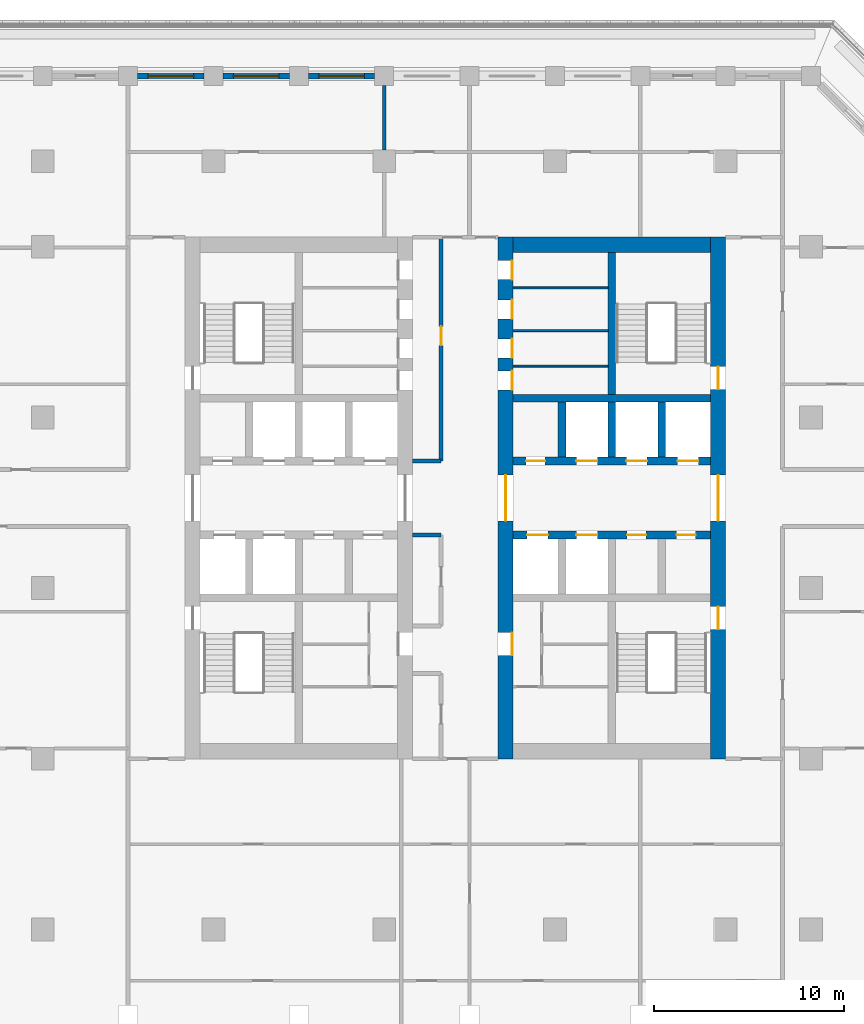
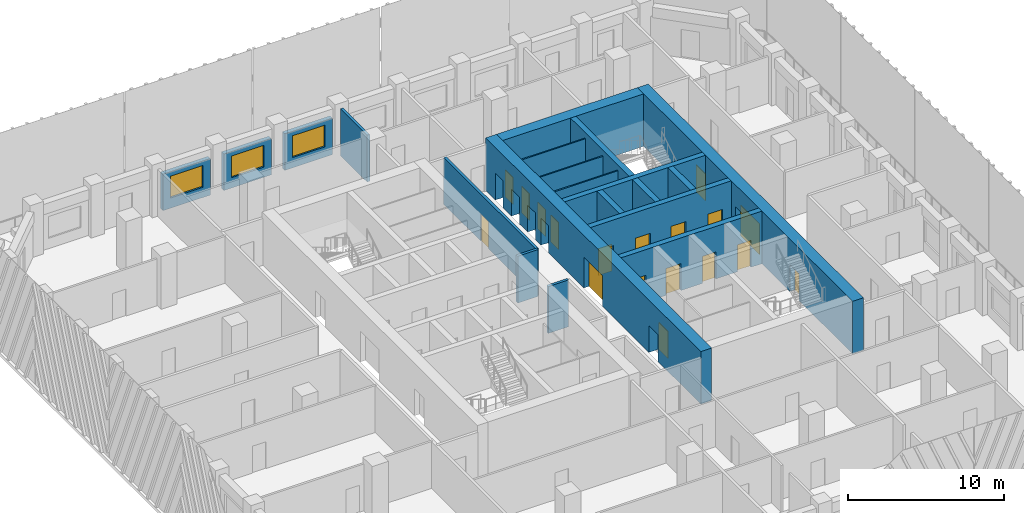
# One storey, part 7 of 17: 20 walls, 18 doors, 3 windows, 21 openings.
"""IFC4 building model written with IfcOpenShell, lengths in metres."""

from ifc_helpers import new_model, si_unit, direction, frame, frame_2d, origin, place, context, subcontext, project, spatial, rectangle, extrude, material, layer, layer_set, type_object, element, fill, save


model = new_model("IFC4")

# Units and contexts
model_context = context("Model", 3, precision=1e-05, world=origin(), true_north=direction((0.0, 1.0)))
body_context = subcontext(model_context, "Body", "Model", "MODEL_VIEW")
ifc_project = project(units=[si_unit("LENGTHUNIT", "METRE"), si_unit("AREAUNIT", "SQUARE_METRE"), si_unit("VOLUMEUNIT", "CUBIC_METRE"), si_unit("PLANEANGLEUNIT", "RADIAN"), si_unit("MASSUNIT", "GRAM", prefix="KILO")], contexts=[model_context])

# Site, building, storey
site_placement = place(None, origin())
site = spatial("IfcSite", under=ifc_project, at=site_placement, CompositionType="ELEMENT")
building_placement = place(site_placement, origin())
building = spatial("IfcBuilding", under=site, at=building_placement, Name="Corbel Stack Research Tower", CompositionType="ELEMENT")
storey_placement = place(building_placement, frame((0.0, 0.0, 156.800048828125)))
storey = spatial("IfcBuildingStorey", under=building, at=storey_placement, Name="L35", CompositionType="ELEMENT", Elevation=156.800048828125)

# Wall, openings, doors
ifc_material_1 = material(Name="Concrete C60/75", Category="concrete")
ifc_layer_1 = layer(ifc_material_1, 0.39990234375)
ifc_layer_set_1 = layer_set([ifc_layer_1], Name="Concrete C60/75")
wall_type_1 = type_object("IfcWallType", Name="CW-400-60", PredefinedType="SHEAR", material=ifc_layer_set_1)
wall_1_placement = place(storey_placement, frame((6.800048828125, 2.800048828125, 0.0), z_axis=(0.0, 0.0, 1.0), x_axis=(1.0, 0.0, 0.0)))
wall_1 = element("IfcWall", 1, at=wall_1_placement, inside=storey, type_object=wall_type_1, Name="East core wall, lobby south L35", PredefinedType="SHEAR", context=body_context, shape_type="SweptSolid", body=[
    extrude(rectangle(XDim=10.39990234375, YDim=0.39990234375, at=frame_2d((5.199951171875, 0.0))), origin(), (0.0, 0.0, 1.0), 4.099853515625),
])
opening_1_placement = place(wall_1_placement, frame((0.737548828125, 0.0, 0.0)))
opening_1 = element("IfcOpeningElement", 2, at=opening_1_placement, cuts=wall_1, Name="Opening LD-FS2", PredefinedType="OPENING", context=body_context, shape_type="SweptSolid", body=[
    extrude(rectangle(XDim=1.10009765625, YDim=2.10009765625, at=frame_2d((0.550048828125, 1.050048828125))), frame((0.0, 0.2099609375, 0.0), z_axis=(0.0, -1.0, 0.0), x_axis=(1.0, 0.0, 0.0)), (0.0, 0.0, 1.0), 0.419921875),
])
opening_2_placement = place(wall_1_placement, frame((3.33740234375, 0.0, 0.0)))
opening_2 = element("IfcOpeningElement", 3, at=opening_2_placement, cuts=wall_1, Name="Opening LD-GL2", PredefinedType="OPENING", context=body_context, shape_type="SweptSolid", body=[
    extrude(rectangle(XDim=1.10009765625, YDim=2.10009765625, at=frame_2d((0.550048828125, 1.050048828125))), frame((0.0, 0.2099609375, 0.0), z_axis=(0.0, -1.0, 0.0), x_axis=(1.0, 0.0, 0.0)), (0.0, 0.0, 1.0), 0.419921875),
])
opening_3_placement = place(wall_1_placement, frame((6.012451171875, 0.0, 0.0)))
opening_3 = element("IfcOpeningElement", 4, at=opening_3_placement, cuts=wall_1, Name="Opening CR-E66-S3", PredefinedType="OPENING", context=body_context, shape_type="SweptSolid", body=[
    extrude(rectangle(XDim=1.0, YDim=2.10009765625, at=frame_2d((0.5, 1.050048828125))), frame((0.0, 0.2099609375, 0.0), z_axis=(0.0, -1.0, 0.0), x_axis=(1.0, 0.0, 0.0)), (0.0, 0.0, 1.0), 0.419921875),
])
opening_4_placement = place(wall_1_placement, frame((8.612548828125, 0.0, 0.0)))
opening_4 = element("IfcOpeningElement", 5, at=opening_4_placement, cuts=wall_1, Name="Opening CR-E66-S4", PredefinedType="OPENING", context=body_context, shape_type="SweptSolid", body=[
    extrude(rectangle(XDim=1.0, YDim=2.10009765625, at=frame_2d((0.5, 1.050048828125))), frame((0.0, 0.2099609375, 0.0), z_axis=(0.0, -1.0, 0.0), x_axis=(1.0, 0.0, 0.0)), (0.0, 0.0, 1.0), 0.419921875),
])
ifc_material_2 = material(Name="Stainless steel landing door", Category="steel")
door_type_1 = type_object("IfcDoorType", Name="Lift landing door 1100 x 2100", OperationType="DOUBLE_DOOR_SLIDING", PredefinedType="DOOR", material=ifc_material_2)
door_1_placement = place(opening_1_placement, origin())
door_1 = element("IfcDoor", 6, at=door_1_placement, inside=storey, type_object=door_type_1, Name="Landing door FS2", OperationType="DOUBLE_DOOR_SLIDING", OverallHeight=2.10009765625, OverallWidth=1.10009765625, PredefinedType="DOOR", context=body_context, shape_type="SweptSolid", body=[
    extrude(rectangle(XDim=1.10009765625, YDim=2.10009765625, at=frame_2d((0.550048828125, 1.050048828125))), frame((0.0, 0.02490234375, 0.0), z_axis=(0.0, -1.0, 0.0), x_axis=(1.0, 0.0, 0.0)), (0.0, 0.0, 1.0), 0.050048828125),
])
fill(opening_1, door_1)
door_2_placement = place(opening_2_placement, origin())
door_2 = element("IfcDoor", 7, at=door_2_placement, inside=storey, type_object=door_type_1, Name="Landing door GL2", OperationType="DOUBLE_DOOR_SLIDING", OverallHeight=2.10009765625, OverallWidth=1.10009765625, PredefinedType="DOOR", context=body_context, shape_type="SweptSolid", body=[
    extrude(rectangle(XDim=1.10009765625, YDim=2.10009765625, at=frame_2d((0.550048828125, 1.050048828125))), frame((0.0, 0.02490234375, 0.0), z_axis=(0.0, -1.0, 0.0), x_axis=(1.0, 0.0, 0.0)), (0.0, 0.0, 1.0), 0.050048828125),
])
fill(opening_2, door_2)
ifc_material_3 = material(Name="Painted steel door", Category="steel")
door_type_2 = type_object("IfcDoorType", Name="Service door 1000 x 2100 FD60 left hand", OperationType="SINGLE_SWING_LEFT", PredefinedType="DOOR", material=ifc_material_3)
door_3_placement = place(opening_3_placement, origin())
door_3 = element("IfcDoor", 8, at=door_3_placement, inside=storey, type_object=door_type_2, Name="Copy and supply store door E core", OperationType="SINGLE_SWING_LEFT", OverallHeight=2.10009765625, OverallWidth=1.0, PredefinedType="DOOR", context=body_context, shape_type="SweptSolid", body=[
    extrude(rectangle(XDim=1.0, YDim=2.10009765625, at=frame_2d((0.5, 1.050048828125))), frame((0.0, 0.02490234375, 0.0), z_axis=(0.0, -1.0, 0.0), x_axis=(1.0, 0.0, 0.0)), (0.0, 0.0, 1.0), 0.050048828125),
])
fill(opening_3, door_3)
ifc_material_4 = material(Name="Painted steel door", Category="steel")
door_type_3 = type_object("IfcDoorType", Name="Service door 1000 x 2100 FD60 right hand", OperationType="SINGLE_SWING_RIGHT", PredefinedType="DOOR", material=ifc_material_4)
door_4_placement = place(opening_4_placement, origin())
door_4 = element("IfcDoor", 9, at=door_4_placement, inside=storey, type_object=door_type_3, Name="Records store door E core", OperationType="SINGLE_SWING_RIGHT", OverallHeight=2.10009765625, OverallWidth=1.0, PredefinedType="DOOR", context=body_context, shape_type="SweptSolid", body=[
    extrude(rectangle(XDim=1.0, YDim=2.10009765625, at=frame_2d((0.5, 1.050048828125))), frame((0.0, 0.02490234375, 0.0), z_axis=(0.0, -1.0, 0.0), x_axis=(1.0, 0.0, 0.0)), (0.0, 0.0, 1.0), 0.050048828125),
])
fill(opening_4, door_4)

wall_2_placement = place(storey_placement, frame((6.800048828125, 6.699951171875, 0.0), z_axis=(0.0, 0.0, 1.0), x_axis=(1.0, 0.0, 0.0)))
wall_2 = element("IfcWall", 10, at=wall_2_placement, inside=storey, type_object=wall_type_1, Name="East core wall, lobby north L35", PredefinedType="SHEAR", context=body_context, shape_type="SweptSolid", body=[
    extrude(rectangle(XDim=10.39990234375, YDim=0.39990234375, at=frame_2d((5.199951171875, 0.0))), origin(), (0.0, 0.0, 1.0), 4.099853515625),
])
opening_5_placement = place(wall_2_placement, frame((3.33740234375, 0.0, 0.0)))
opening_5 = element("IfcOpeningElement", 11, at=opening_5_placement, cuts=wall_2, Name="Opening LD-HR4", PredefinedType="OPENING", context=body_context, shape_type="SweptSolid", body=[
    extrude(rectangle(XDim=1.10009765625, YDim=2.10009765625, at=frame_2d((0.550048828125, 1.050048828125))), frame((0.0, 0.2099609375, 0.0), z_axis=(0.0, -1.0, 0.0), x_axis=(1.0, 0.0, 0.0)), (0.0, 0.0, 1.0), 0.419921875),
])
opening_6_placement = place(wall_2_placement, frame((5.96240234375, 0.0, 0.0)))
opening_6 = element("IfcOpeningElement", 12, at=opening_6_placement, cuts=wall_2, Name="Opening LD-HR5", PredefinedType="OPENING", context=body_context, shape_type="SweptSolid", body=[
    extrude(rectangle(XDim=1.10009765625, YDim=2.10009765625, at=frame_2d((0.550048828125, 1.050048828125))), frame((0.0, 0.2099609375, 0.0), z_axis=(0.0, -1.0, 0.0), x_axis=(1.0, 0.0, 0.0)), (0.0, 0.0, 1.0), 0.419921875),
])
opening_7_placement = place(wall_2_placement, frame((8.66259765625, 0.0, 0.0)))
opening_7 = element("IfcOpeningElement", 13, at=opening_7_placement, cuts=wall_2, Name="Opening LD-HR6", PredefinedType="OPENING", context=body_context, shape_type="SweptSolid", body=[
    extrude(rectangle(XDim=1.10009765625, YDim=2.10009765625, at=frame_2d((0.550048828125, 1.050048828125))), frame((0.0, 0.2099609375, 0.0), z_axis=(0.0, -1.0, 0.0), x_axis=(1.0, 0.0, 0.0)), (0.0, 0.0, 1.0), 0.419921875),
])
opening_8_placement = place(wall_2_placement, frame((0.6875, 0.0, 0.0)))
opening_8 = element("IfcOpeningElement", 14, at=opening_8_placement, cuts=wall_2, Name="Opening CR-E66-N1", PredefinedType="OPENING", context=body_context, shape_type="SweptSolid", body=[
    extrude(rectangle(XDim=1.0, YDim=2.10009765625, at=frame_2d((0.5, 1.050048828125))), frame((0.0, 0.2099609375, 0.0), z_axis=(0.0, -1.0, 0.0), x_axis=(1.0, 0.0, 0.0)), (0.0, 0.0, 1.0), 0.419921875),
])
door_5_placement = place(opening_5_placement, origin())
door_5 = element("IfcDoor", 15, at=door_5_placement, inside=storey, type_object=door_type_1, Name="Landing door HR4", OperationType="DOUBLE_DOOR_SLIDING", OverallHeight=2.10009765625, OverallWidth=1.10009765625, PredefinedType="DOOR", context=body_context, shape_type="SweptSolid", body=[
    extrude(rectangle(XDim=1.10009765625, YDim=2.10009765625, at=frame_2d((0.550048828125, 1.050048828125))), frame((0.0, 0.02490234375, 0.0), z_axis=(0.0, -1.0, 0.0), x_axis=(1.0, 0.0, 0.0)), (0.0, 0.0, 1.0), 0.050048828125),
])
fill(opening_5, door_5)
door_6_placement = place(opening_6_placement, origin())
door_6 = element("IfcDoor", 16, at=door_6_placement, inside=storey, type_object=door_type_1, Name="Landing door HR5", OperationType="DOUBLE_DOOR_SLIDING", OverallHeight=2.10009765625, OverallWidth=1.10009765625, PredefinedType="DOOR", context=body_context, shape_type="SweptSolid", body=[
    extrude(rectangle(XDim=1.10009765625, YDim=2.10009765625, at=frame_2d((0.550048828125, 1.050048828125))), frame((0.0, 0.02490234375, 0.0), z_axis=(0.0, -1.0, 0.0), x_axis=(1.0, 0.0, 0.0)), (0.0, 0.0, 1.0), 0.050048828125),
])
fill(opening_6, door_6)
door_7_placement = place(opening_7_placement, origin())
door_7 = element("IfcDoor", 17, at=door_7_placement, inside=storey, type_object=door_type_1, Name="Landing door HR6", OperationType="DOUBLE_DOOR_SLIDING", OverallHeight=2.10009765625, OverallWidth=1.10009765625, PredefinedType="DOOR", context=body_context, shape_type="SweptSolid", body=[
    extrude(rectangle(XDim=1.10009765625, YDim=2.10009765625, at=frame_2d((0.550048828125, 1.050048828125))), frame((0.0, 0.02490234375, 0.0), z_axis=(0.0, -1.0, 0.0), x_axis=(1.0, 0.0, 0.0)), (0.0, 0.0, 1.0), 0.050048828125),
])
fill(opening_7, door_7)
door_8_placement = place(opening_8_placement, origin())
door_8 = element("IfcDoor", 18, at=door_8_placement, inside=storey, type_object=door_type_2, Name="Electrical room door E core", OperationType="SINGLE_SWING_LEFT", OverallHeight=2.10009765625, OverallWidth=1.0, PredefinedType="DOOR", context=body_context, shape_type="SweptSolid", body=[
    extrude(rectangle(XDim=1.0, YDim=2.10009765625, at=frame_2d((0.5, 1.050048828125))), frame((0.0, 0.02490234375, 0.0), z_axis=(0.0, -1.0, 0.0), x_axis=(1.0, 0.0, 0.0)), (0.0, 0.0, 1.0), 0.050048828125),
])
fill(opening_8, door_8)

# Walls
wall_3_placement = place(storey_placement, frame((6.800048828125, 10.0, 0.0), z_axis=(0.0, 0.0, 1.0), x_axis=(1.0, 0.0, 0.0)))
element("IfcWall", 19, at=wall_3_placement, inside=storey, type_object=wall_type_1, Name="East core wall, north row back L35", PredefinedType="SHEAR", context=body_context, shape_type="SweptSolid", body=[
    extrude(rectangle(XDim=10.39990234375, YDim=0.39990234375, at=frame_2d((5.199951171875, 0.0))), origin(), (0.0, 0.0, 1.0), 4.099853515625),
])
for number, where, z_axis, x_axis, name in (
    (20, (9.375, 6.89990234375, 0.0), (0.0, 0.0, 1.0), (0.0, 1.0, 0.0), "East core wall, north shaft 1 L35"),
    (21, (12.0, 6.89990234375, 0.0), (0.0, 0.0, 1.0), (0.0, 1.0, 0.0), "East core wall, north shaft 2 L35"),
    (22, (14.625, 6.89990234375, 0.0), (0.0, 0.0, 1.0), (0.0, 1.0, 0.0), "East core wall, north shaft 3 L35"),
):
    element("IfcWall", number, at=place(storey_placement, frame(where, z_axis=z_axis, x_axis=x_axis)), inside=storey, type_object=wall_type_1, Name=name, PredefinedType="SHEAR", context=body_context, shape_type="SweptSolid", body=[
        extrude(rectangle(XDim=2.900146484375, YDim=0.39990234375, at=frame_2d((1.4501953125, 0.0))), origin(), (0.0, 0.0, 1.0), 4.099853515625),
    ])
wall_4_placement = place(storey_placement, frame((12.0, 10.199951171875, 0.0), z_axis=(0.0, 0.0, 1.0), x_axis=(0.0, 1.0, 0.0)))
element("IfcWall", 23, at=wall_4_placement, inside=storey, type_object=wall_type_1, Name="East core wall, north stair and riser L35", PredefinedType="SHEAR", context=body_context, shape_type="SweptSolid", body=[
    extrude(rectangle(XDim=7.5, YDim=0.39990234375, at=frame_2d((3.75, 0.0))), origin(), (0.0, 0.0, 1.0), 4.099853515625),
])

# Wall, openings, doors
ifc_material_5 = material(Name="Concrete C60/75", Category="concrete")
ifc_layer_2 = layer(ifc_material_5, 0.800048828125)
ifc_layer_set_2 = layer_set([ifc_layer_2], Name="Concrete C60/75")
wall_type_2 = type_object("IfcWallType", Name="CW-800-60", PredefinedType="SHEAR", material=ifc_layer_set_2)
wall_5_placement = place(storey_placement, frame((6.39990234375, -9.0, 0.0), z_axis=(0.0, 0.0, 1.0), x_axis=(0.0, 1.0, 0.0)))
wall_5 = element("IfcWall", 24, at=wall_5_placement, inside=storey, type_object=wall_type_2, Name="East core wall, west face L35", PredefinedType="SHEAR", context=body_context, shape_type="SweptSolid", body=[
    extrude(rectangle(XDim=27.5, YDim=0.800048828125, at=frame_2d((13.75, 0.0))), origin(), (0.0, 0.0, 1.0), 4.099853515625),
])
opening_9_placement = place(wall_5_placement, frame((12.550048828125, 0.0, 0.0)))
opening_9 = element("IfcOpeningElement", 25, at=opening_9_placement, cuts=wall_5, Name="Opening CD-E-W", PredefinedType="OPENING", context=body_context, shape_type="SweptSolid", body=[
    extrude(rectangle(XDim=2.39990234375, YDim=2.39990234375, at=frame_2d((1.199951171875, 1.199951171875))), frame((0.0, 0.409912109375, 0.0), z_axis=(0.0, -1.0, 0.0), x_axis=(1.0, 0.0, 0.0)), (0.0, 0.0, 1.0), 0.820068359375),
])
opening_10_placement = place(wall_5_placement, frame((5.449951171875, 0.0, 0.0)))
opening_10 = element("IfcOpeningElement", 26, at=opening_10_placement, cuts=wall_5, Name="Opening CR-E66-W1-1200", PredefinedType="OPENING", context=body_context, shape_type="SweptSolid", body=[
    extrude(rectangle(XDim=1.199951171875, YDim=2.10009765625, at=frame_2d((0.60009765625, 1.050048828125))), frame((0.0, 0.409912109375, 0.0), z_axis=(0.0, -1.0, 0.0), x_axis=(1.0, 0.0, 0.0)), (0.0, 0.0, 1.0), 0.820068359375),
])
opening_11_placement = place(wall_5_placement, frame((19.449951171875, 0.0, 0.0)))
opening_11 = element("IfcOpeningElement", 27, at=opening_11_placement, cuts=wall_5, Name="Opening CR-E66-R1-1000", PredefinedType="OPENING", context=body_context, shape_type="SweptSolid", body=[
    extrude(rectangle(XDim=1.0, YDim=2.10009765625, at=frame_2d((0.5, 1.050048828125))), frame((0.0, 0.409912109375, 0.0), z_axis=(0.0, -1.0, 0.0), x_axis=(1.0, 0.0, 0.0)), (0.0, 0.0, 1.0), 0.820068359375),
])
opening_12_placement = place(wall_5_placement, frame((21.137451171875, 0.0, 0.0)))
opening_12 = element("IfcOpeningElement", 28, at=opening_12_placement, cuts=wall_5, Name="Opening CR-E66-R2-1000", PredefinedType="OPENING", context=body_context, shape_type="SweptSolid", body=[
    extrude(rectangle(XDim=1.0, YDim=2.10009765625, at=frame_2d((0.5, 1.050048828125))), frame((0.0, 0.409912109375, 0.0), z_axis=(0.0, -1.0, 0.0), x_axis=(1.0, 0.0, 0.0)), (0.0, 0.0, 1.0), 0.820068359375),
])
opening_13_placement = place(wall_5_placement, frame((23.199951171875, 0.0, 0.0)))
opening_13 = element("IfcOpeningElement", 29, at=opening_13_placement, cuts=wall_5, Name="Opening CR-E66-R3-1000", PredefinedType="OPENING", context=body_context, shape_type="SweptSolid", body=[
    extrude(rectangle(XDim=1.0, YDim=2.10009765625, at=frame_2d((0.5, 1.050048828125))), frame((0.0, 0.409912109375, 0.0), z_axis=(0.0, -1.0, 0.0), x_axis=(1.0, 0.0, 0.0)), (0.0, 0.0, 1.0), 0.820068359375),
])
opening_14_placement = place(wall_5_placement, frame((25.262451171875, 0.0, 0.0)))
opening_14 = element("IfcOpeningElement", 30, at=opening_14_placement, cuts=wall_5, Name="Opening CR-E66-R4-1000", PredefinedType="OPENING", context=body_context, shape_type="SweptSolid", body=[
    extrude(rectangle(XDim=1.0, YDim=2.10009765625, at=frame_2d((0.5, 1.050048828125))), frame((0.0, 0.409912109375, 0.0), z_axis=(0.0, -1.0, 0.0), x_axis=(1.0, 0.0, 0.0)), (0.0, 0.0, 1.0), 0.820068359375),
])
ifc_material_6 = material(Name="Painted steel fire door", Category="steel")
door_type_4 = type_object("IfcDoorType", Name="Lobby door pair 2400 x 2400 FD30S", OperationType="DOUBLE_DOOR_DOUBLE_SWING", PredefinedType="DOOR", material=ifc_material_6)
door_9_placement = place(opening_9_placement, origin())
door_9 = element("IfcDoor", 31, at=door_9_placement, inside=storey, type_object=door_type_4, Name="Lift lobby door E core W", OperationType="DOUBLE_DOOR_DOUBLE_SWING", OverallHeight=2.39990234375, OverallWidth=2.39990234375, PredefinedType="DOOR", context=body_context, shape_type="SweptSolid", body=[
    extrude(rectangle(XDim=2.39990234375, YDim=2.39990234375, at=frame_2d((1.199951171875, 1.199951171875))), frame((0.0, 0.02490234375, 0.0), z_axis=(0.0, -1.0, 0.0), x_axis=(1.0, 0.0, 0.0)), (0.0, 0.0, 1.0), 0.050048828125),
])
fill(opening_9, door_9)
ifc_material_7 = material(Name="Painted steel door", Category="steel")
door_type_5 = type_object("IfcDoorType", Name="Riser door 1000 x 2100 FD60 left hand", OperationType="SINGLE_SWING_LEFT", PredefinedType="DOOR", material=ifc_material_7)
door_10_placement = place(opening_12_placement, origin())
door_10 = element("IfcDoor", 32, at=door_10_placement, inside=storey, type_object=door_type_5, Name="Telecom room door E core", OperationType="SINGLE_SWING_LEFT", OverallHeight=2.10009765625, OverallWidth=1.0, PredefinedType="DOOR", context=body_context, shape_type="SweptSolid", body=[
    extrude(rectangle(XDim=1.0, YDim=2.10009765625, at=frame_2d((0.5, 1.050048828125))), frame((0.0, -0.3251953125, 0.0), z_axis=(0.0, -1.0, 0.0), x_axis=(1.0, 0.0, 0.0)), (0.0, 0.0, 1.0), 0.050048828125),
])
fill(opening_12, door_10)
ifc_material_8 = material(Name="Painted steel door", Category="steel")
door_type_6 = type_object("IfcDoorType", Name="Riser door 1000 x 2100 FD60 right hand", OperationType="SINGLE_SWING_RIGHT", PredefinedType="DOOR", material=ifc_material_8)
door_11_placement = place(opening_11_placement, origin())
door_11 = element("IfcDoor", 33, at=door_11_placement, inside=storey, type_object=door_type_6, Name="Electrical riser door E core", OperationType="SINGLE_SWING_RIGHT", OverallHeight=2.10009765625, OverallWidth=1.0, PredefinedType="DOOR", context=body_context, shape_type="SweptSolid", body=[
    extrude(rectangle(XDim=1.0, YDim=2.10009765625, at=frame_2d((0.5, 1.050048828125))), frame((0.0, -0.3251953125, 0.0), z_axis=(0.0, -1.0, 0.0), x_axis=(1.0, 0.0, 0.0)), (0.0, 0.0, 1.0), 0.050048828125),
])
fill(opening_11, door_11)
ifc_material_9 = material(Name="Painted steel door", Category="steel")
door_type_7 = type_object("IfcDoorType", Name="Service door 1000 x 2100 FD30 left hand", OperationType="SINGLE_SWING_LEFT", PredefinedType="DOOR", material=ifc_material_9)
door_12_placement = place(opening_14_placement, origin())
door_12 = element("IfcDoor", 34, at=door_12_placement, inside=storey, type_object=door_type_7, Name="Cleaner's store door E core", OperationType="SINGLE_SWING_LEFT", OverallHeight=2.10009765625, OverallWidth=1.0, PredefinedType="DOOR", context=body_context, shape_type="SweptSolid", body=[
    extrude(rectangle(XDim=1.0, YDim=2.10009765625, at=frame_2d((0.5, 1.050048828125))), frame((0.0, -0.3251953125, 0.0), z_axis=(0.0, -1.0, 0.0), x_axis=(1.0, 0.0, 0.0)), (0.0, 0.0, 1.0), 0.050048828125),
])
fill(opening_14, door_12)
ifc_material_10 = material(Name="Painted steel door", Category="steel")
door_type_8 = type_object("IfcDoorType", Name="Service door 1000 x 2100 FD30 right hand", OperationType="SINGLE_SWING_RIGHT", PredefinedType="DOOR", material=ifc_material_10)
door_13_placement = place(opening_13_placement, origin())
door_13 = element("IfcDoor", 35, at=door_13_placement, inside=storey, type_object=door_type_8, Name="Pantry door E core", OperationType="SINGLE_SWING_RIGHT", OverallHeight=2.10009765625, OverallWidth=1.0, PredefinedType="DOOR", context=body_context, shape_type="SweptSolid", body=[
    extrude(rectangle(XDim=1.0, YDim=2.10009765625, at=frame_2d((0.5, 1.050048828125))), frame((0.0, -0.3251953125, 0.0), z_axis=(0.0, -1.0, 0.0), x_axis=(1.0, 0.0, 0.0)), (0.0, 0.0, 1.0), 0.050048828125),
])
fill(opening_13, door_13)
ifc_material_11 = material(Name="Painted timber door", Category="wood")
door_type_9 = type_object("IfcDoorType", Name="WC door 1200 x 2100 right hand", OperationType="SINGLE_SWING_RIGHT", PredefinedType="DOOR", material=ifc_material_11)
door_14_placement = place(opening_10_placement, origin())
door_14 = element("IfcDoor", 36, at=door_14_placement, inside=storey, type_object=door_type_9, Name="WC lobby door E core", OperationType="SINGLE_SWING_RIGHT", OverallHeight=2.10009765625, OverallWidth=1.199951171875, PredefinedType="DOOR", context=body_context, shape_type="SweptSolid", body=[
    extrude(rectangle(XDim=1.199951171875, YDim=2.10009765625, at=frame_2d((0.60009765625, 1.050048828125))), frame((0.0, -0.3251953125, 0.0), z_axis=(0.0, -1.0, 0.0), x_axis=(1.0, 0.0, 0.0)), (0.0, 0.0, 1.0), 0.050048828125),
])
fill(opening_10, door_14)

wall_6_placement = place(storey_placement, frame((17.60009765625, -9.0, 0.0), z_axis=(0.0, 0.0, 1.0), x_axis=(0.0, 1.0, 0.0)))
wall_6 = element("IfcWall", 37, at=wall_6_placement, inside=storey, type_object=wall_type_2, Name="East core wall, east face L35", PredefinedType="SHEAR", context=body_context, shape_type="SweptSolid", body=[
    extrude(rectangle(XDim=27.5, YDim=0.800048828125, at=frame_2d((13.75, 0.0))), origin(), (0.0, 0.0, 1.0), 4.099853515625),
])
opening_15_placement = place(wall_6_placement, frame((12.550048828125, 0.0, 0.0)))
opening_15 = element("IfcOpeningElement", 38, at=opening_15_placement, cuts=wall_6, Name="Opening CD-E-E", PredefinedType="OPENING", context=body_context, shape_type="SweptSolid", body=[
    extrude(rectangle(XDim=2.39990234375, YDim=2.39990234375, at=frame_2d((1.199951171875, 1.199951171875))), frame((0.0, 0.409912109375, 0.0), z_axis=(0.0, -1.0, 0.0), x_axis=(1.0, 0.0, 0.0)), (0.0, 0.0, 1.0), 0.820068359375),
])
opening_16_placement = place(wall_6_placement, frame((6.824951171875, 0.0, 0.0)))
opening_16 = element("IfcOpeningElement", 39, at=opening_16_placement, cuts=wall_6, Name="Opening SD-ST-E1", PredefinedType="OPENING", context=body_context, shape_type="SweptSolid", body=[
    extrude(rectangle(XDim=1.199951171875, YDim=2.10009765625, at=frame_2d((0.60009765625, 1.050048828125))), frame((0.0, 0.409912109375, 0.0), z_axis=(0.0, -1.0, 0.0), x_axis=(1.0, 0.0, 0.0)), (0.0, 0.0, 1.0), 0.820068359375),
])
opening_17_placement = place(wall_6_placement, frame((19.47509765625, 0.0, 0.0)))
opening_17 = element("IfcOpeningElement", 40, at=opening_17_placement, cuts=wall_6, Name="Opening SD-ST-E2", PredefinedType="OPENING", context=body_context, shape_type="SweptSolid", body=[
    extrude(rectangle(XDim=1.199951171875, YDim=2.10009765625, at=frame_2d((0.60009765625, 1.050048828125))), frame((0.0, 0.409912109375, 0.0), z_axis=(0.0, -1.0, 0.0), x_axis=(1.0, 0.0, 0.0)), (0.0, 0.0, 1.0), 0.820068359375),
])
door_15_placement = place(opening_15_placement, origin())
door_15 = element("IfcDoor", 41, at=door_15_placement, inside=storey, type_object=door_type_4, Name="Lift lobby door E core E", OperationType="DOUBLE_DOOR_DOUBLE_SWING", OverallHeight=2.39990234375, OverallWidth=2.39990234375, PredefinedType="DOOR", context=body_context, shape_type="SweptSolid", body=[
    extrude(rectangle(XDim=2.39990234375, YDim=2.39990234375, at=frame_2d((1.199951171875, 1.199951171875))), frame((0.0, 0.02490234375, 0.0), z_axis=(0.0, -1.0, 0.0), x_axis=(1.0, 0.0, 0.0)), (0.0, 0.0, 1.0), 0.050048828125),
])
fill(opening_15, door_15)
ifc_material_12 = material(Name="Painted steel fire door", Category="steel")
door_type_10 = type_object("IfcDoorType", Name="Stair door 1200 x 2100 FD90 right hand", OperationType="SINGLE_SWING_RIGHT", PredefinedType="DOOR", material=ifc_material_12)
door_16_placement = place(opening_16_placement, frame((1.199951171875, 0.0, 0.0), z_axis=(0.0, 0.0, 1.0), x_axis=(-1.0, 0.0, 0.0)))
door_16 = element("IfcDoor", 42, at=door_16_placement, inside=storey, type_object=door_type_10, Name="Stair door ST-E1", OperationType="SINGLE_SWING_LEFT", OverallHeight=2.10009765625, OverallWidth=1.199951171875, PredefinedType="DOOR", context=body_context, shape_type="SweptSolid", body=[
    extrude(rectangle(XDim=1.199951171875, YDim=2.10009765625, at=frame_2d((0.60009765625, 1.050048828125))), frame((0.0, 0.02490234375, 0.0), z_axis=(0.0, -1.0, 0.0), x_axis=(1.0, 0.0, 0.0)), (0.0, 0.0, 1.0), 0.050048828125),
])
fill(opening_16, door_16)
door_17_placement = place(opening_17_placement, frame((1.199951171875, 0.0, 0.0), z_axis=(0.0, 0.0, 1.0), x_axis=(-1.0, 0.0, 0.0)))
door_17 = element("IfcDoor", 43, at=door_17_placement, inside=storey, type_object=door_type_10, Name="Stair door ST-E2", OperationType="SINGLE_SWING_LEFT", OverallHeight=2.10009765625, OverallWidth=1.199951171875, PredefinedType="DOOR", context=body_context, shape_type="SweptSolid", body=[
    extrude(rectangle(XDim=1.199951171875, YDim=2.10009765625, at=frame_2d((0.60009765625, 1.050048828125))), frame((0.0, 0.02490234375, 0.0), z_axis=(0.0, -1.0, 0.0), x_axis=(1.0, 0.0, 0.0)), (0.0, 0.0, 1.0), 0.050048828125),
])
fill(opening_17, door_17)

# Walls
wall_7_placement = place(storey_placement, frame((6.800048828125, 18.10009765625, 0.0), z_axis=(0.0, 0.0, 1.0), x_axis=(1.0, 0.0, 0.0)))
element("IfcWall", 44, at=wall_7_placement, inside=storey, type_object=wall_type_2, Name="East core wall, north end L35", PredefinedType="SHEAR", context=body_context, shape_type="SweptSolid", body=[
    extrude(rectangle(XDim=10.39990234375, YDim=0.800048828125, at=frame_2d((5.199951171875, 0.0))), origin(), (0.0, 0.0, 1.0), 4.099853515625),
])
ifc_material_13 = material(Name="Gypsum board")
ifc_layer_3 = layer(ifc_material_13, 0.10009765625)
ifc_layer_set_3 = layer_set([ifc_layer_3], Name="Gypsum board")
wall_type_3 = type_object("IfcWallType", Name="Core partition 100", PredefinedType="PARTITIONING", material=ifc_layer_set_3)
for number, where, z_axis, x_axis, name in (
    (45, (6.800048828125, 11.699951171875, 0.0), (0.0, 0.0, 1.0), (1.0, 0.0, 0.0), "Core partition E"),
    (46, (6.800048828125, 13.574951171875, 0.0), (0.0, 0.0, 1.0), (1.0, 0.0, 0.0), "Core partition E"),
    (47, (6.800048828125, 15.824951171875, 0.0), (0.0, 0.0, 1.0), (1.0, 0.0, 0.0), "Core partition E"),
):
    element("IfcWall", number, at=place(storey_placement, frame(where, z_axis=z_axis, x_axis=x_axis)), inside=storey, type_object=wall_type_3, Name=name, PredefinedType="PARTITIONING", context=body_context, shape_type="SweptSolid", body=[
        extrude(rectangle(XDim=5.0, YDim=0.10009765625, at=frame_2d((2.5, 0.0))), origin(), (0.0, 0.0, 1.0), 3.64990234375),
    ])
ifc_material_14 = material(Name="Fire-rated gypsum board partition on steel studs", Category="steel")
ifc_layer_4 = layer(ifc_material_14, 0.199951171875)
ifc_layer_set_4 = layer_set([ifc_layer_4], Name="Fire-rated gypsum board partition on steel studs")
wall_type_4 = type_object("IfcWallType", Name="Fire-rated partition 200 EI 60", PredefinedType="PARTITIONING", material=ifc_layer_set_4)
wall_8_placement = place(storey_placement, frame((0.0, 23.10009765625, 0.0), z_axis=(0.0, 0.0, 1.0), x_axis=(0.0, 1.0, 0.0)))
element("IfcWall", 48, at=wall_8_placement, inside=storey, type_object=wall_type_4, Name="Partition L35-005", PredefinedType="PARTITIONING", context=body_context, shape_type="SweptSolid", body=[
    extrude(rectangle(XDim=3.39990234375, YDim=0.199951171875, at=frame_2d((1.699951171875, 0.0))), origin(), (0.0, 0.0, 1.0), 3.64990234375),
])

# Wall, opening, door
wall_9_placement = place(storey_placement, frame((3.0, 6.699951171875, 0.0), z_axis=(0.0, 0.0, 1.0), x_axis=(0.0, 1.0, 0.0)))
wall_9 = element("IfcWall", 49, at=wall_9_placement, inside=storey, type_object=wall_type_4, Name="Partition L35-009", PredefinedType="PARTITIONING", context=body_context, shape_type="SweptSolid", body=[
    extrude(rectangle(XDim=11.800048828125, YDim=0.199951171875, at=frame_2d((5.89990234375, 0.0))), origin(), (0.0, 0.0, 1.0), 3.64990234375),
])
opening_18_placement = place(wall_9_placement, frame((6.10009765625, 0.0, 0.0)))
opening_18 = element("IfcOpeningElement", 50, at=opening_18_placement, cuts=wall_9, Name="Opening B5V0H-018", PredefinedType="OPENING", context=body_context, shape_type="SweptSolid", body=[
    extrude(rectangle(XDim=1.0, YDim=2.10009765625, at=frame_2d((0.5, 1.050048828125))), frame((0.0, 0.10986328125, 0.0), z_axis=(0.0, -1.0, 0.0), x_axis=(1.0, 0.0, 0.0)), (0.0, 0.0, 1.0), 0.219970703125),
])
ifc_material_15 = material(Name="Painted steel fire door", Category="steel")
door_type_11 = type_object("IfcDoorType", Name="Fire door FD30S 1000 x 2100", OperationType="NOTDEFINED", PredefinedType="DOOR", material=ifc_material_15)
door_18_placement = place(opening_18_placement, origin())
door_18 = element("IfcDoor", 51, at=door_18_placement, inside=storey, type_object=door_type_11, Name="Door B5V0H-018", OperationType="SINGLE_SWING_RIGHT", OverallHeight=2.10009765625, OverallWidth=1.0, PredefinedType="DOOR", context=body_context, shape_type="SweptSolid", body=[
    extrude(rectangle(XDim=1.0, YDim=2.10009765625, at=frame_2d((0.5, 1.050048828125))), frame((0.0, 0.02490234375, 0.0), z_axis=(0.0, -1.0, 0.0), x_axis=(1.0, 0.0, 0.0)), (0.0, 0.0, 1.0), 0.050048828125),
])
fill(opening_18, door_18)

# Walls
for number, where, z_axis, x_axis, name in (
    (52, (1.5, 2.800048828125, 0.0), (0.0, 0.0, 1.0), (1.0, 0.0, 0.0), "Partition L35-031"),
    (53, (1.5, 6.699951171875, 0.0), (0.0, 0.0, 1.0), (1.0, 0.0, 0.0), "Partition L35-036"),
):
    element("IfcWall", number, at=place(storey_placement, frame(where, z_axis=z_axis, x_axis=x_axis)), inside=storey, type_object=wall_type_4, Name=name, PredefinedType="PARTITIONING", context=body_context, shape_type="SweptSolid", body=[
        extrude(rectangle(XDim=1.5, YDim=0.199951171875, at=frame_2d((0.75, 0.0))), origin(), (0.0, 0.0, 1.0), 3.64990234375),
    ])

# Wall, opening, window
ifc_material_16 = material(Name="Concrete C45/55", Category="concrete")
ifc_layer_5 = layer(ifc_material_16, 0.300048828125)
ifc_layer_set_5 = layer_set([ifc_layer_5], Name="Concrete C45/55")
wall_type_5 = type_object("IfcWallType", Name="Terracotta-faced concrete wall 300", PredefinedType="SOLIDWALL", material=ifc_layer_set_5)
wall_10_placement = place(storey_placement, frame((-4.0, 27.0, 0.0), z_axis=(0.0, 0.0, 1.0), x_axis=(1.0, 0.0, 0.0)))
wall_10 = element("IfcWall", 54, at=wall_10_placement, inside=storey, type_object=wall_type_5, Name="Facade wall L35 N06", PredefinedType="SOLIDWALL", context=body_context, shape_type="SweptSolid", body=[
    extrude(rectangle(XDim=3.5, YDim=0.300048828125, at=frame_2d((1.75, 0.0))), origin(), (0.0, 0.0, 1.0), 2.849853515625),
])
opening_19_placement = place(wall_10_placement, frame((0.550048828125, 0.0, 0.800048828125)))
opening_19 = element("IfcOpeningElement", 55, at=opening_19_placement, cuts=wall_10, Name="Opening W1", PredefinedType="OPENING", context=body_context, shape_type="SweptSolid", body=[
    extrude(rectangle(XDim=2.39990234375, YDim=1.699951171875, at=frame_2d((1.199951171875, 0.85009765625))), frame((0.0, 0.159912109375, 0.0), z_axis=(0.0, -1.0, 0.0), x_axis=(1.0, 0.0, 0.0)), (0.0, 0.0, 1.0), 0.320068359375),
])
ifc_material_17 = material(Name="Aluminium frame, clear double glazing", Category="aluminium")
window_type = type_object("IfcWindowType", Name="Window W1 2400 x 1700", PartitioningType="SINGLE_PANEL", PredefinedType="WINDOW", material=ifc_material_17)
window_1_placement = place(opening_19_placement, origin())
window_1 = element("IfcWindow", 56, at=window_1_placement, inside=storey, type_object=window_type, Name="Window W1 L35 N06", OverallHeight=1.699951171875, OverallWidth=2.39990234375, PartitioningType="SINGLE_PANEL", PredefinedType="WINDOW", context=body_context, shape_type="SweptSolid", body=[
    extrude(rectangle(XDim=2.39990234375, YDim=1.699951171875, at=frame_2d((1.199951171875, 0.85009765625))), frame((0.0, 0.030029296875, 0.0), z_axis=(0.0, -1.0, 0.0), x_axis=(1.0, 0.0, 0.0)), (0.0, 0.0, 1.0), 0.06005859375),
])
fill(opening_19, window_1)

wall_11_placement = place(storey_placement, frame((-8.5, 27.0, 0.0), z_axis=(0.0, 0.0, 1.0), x_axis=(1.0, 0.0, 0.0)))
wall_11 = element("IfcWall", 57, at=wall_11_placement, inside=storey, type_object=wall_type_5, Name="Facade wall L35 N07", PredefinedType="SOLIDWALL", context=body_context, shape_type="SweptSolid", body=[
    extrude(rectangle(XDim=3.5, YDim=0.300048828125, at=frame_2d((1.75, 0.0))), origin(), (0.0, 0.0, 1.0), 2.849853515625),
])
opening_20_placement = place(wall_11_placement, frame((0.550048828125, 0.0, 0.800048828125)))
opening_20 = element("IfcOpeningElement", 58, at=opening_20_placement, cuts=wall_11, Name="Opening W1", PredefinedType="OPENING", context=body_context, shape_type="SweptSolid", body=[
    extrude(rectangle(XDim=2.39990234375, YDim=1.699951171875, at=frame_2d((1.199951171875, 0.85009765625))), frame((0.0, 0.159912109375, 0.0), z_axis=(0.0, -1.0, 0.0), x_axis=(1.0, 0.0, 0.0)), (0.0, 0.0, 1.0), 0.320068359375),
])
window_2_placement = place(opening_20_placement, origin())
window_2 = element("IfcWindow", 59, at=window_2_placement, inside=storey, type_object=window_type, Name="Window W1 L35 N07", OverallHeight=1.699951171875, OverallWidth=2.39990234375, PartitioningType="SINGLE_PANEL", PredefinedType="WINDOW", context=body_context, shape_type="SweptSolid", body=[
    extrude(rectangle(XDim=2.39990234375, YDim=1.699951171875, at=frame_2d((1.199951171875, 0.85009765625))), frame((0.0, 0.030029296875, 0.0), z_axis=(0.0, -1.0, 0.0), x_axis=(1.0, 0.0, 0.0)), (0.0, 0.0, 1.0), 0.06005859375),
])
fill(opening_20, window_2)

wall_12_placement = place(storey_placement, frame((-13.0, 27.0, 0.0), z_axis=(0.0, 0.0, 1.0), x_axis=(1.0, 0.0, 0.0)))
wall_12 = element("IfcWall", 60, at=wall_12_placement, inside=storey, type_object=wall_type_5, Name="Facade wall L35 N08", PredefinedType="SOLIDWALL", context=body_context, shape_type="SweptSolid", body=[
    extrude(rectangle(XDim=3.5, YDim=0.300048828125, at=frame_2d((1.75, 0.0))), origin(), (0.0, 0.0, 1.0), 2.849853515625),
])
opening_21_placement = place(wall_12_placement, frame((0.550048828125, 0.0, 0.800048828125)))
opening_21 = element("IfcOpeningElement", 61, at=opening_21_placement, cuts=wall_12, Name="Opening W1", PredefinedType="OPENING", context=body_context, shape_type="SweptSolid", body=[
    extrude(rectangle(XDim=2.39990234375, YDim=1.699951171875, at=frame_2d((1.199951171875, 0.85009765625))), frame((0.0, 0.159912109375, 0.0), z_axis=(0.0, -1.0, 0.0), x_axis=(1.0, 0.0, 0.0)), (0.0, 0.0, 1.0), 0.320068359375),
])
window_3_placement = place(opening_21_placement, origin())
window_3 = element("IfcWindow", 62, at=window_3_placement, inside=storey, type_object=window_type, Name="Window W1 L35 N08", OverallHeight=1.699951171875, OverallWidth=2.39990234375, PartitioningType="SINGLE_PANEL", PredefinedType="WINDOW", context=body_context, shape_type="SweptSolid", body=[
    extrude(rectangle(XDim=2.39990234375, YDim=1.699951171875, at=frame_2d((1.199951171875, 0.85009765625))), frame((0.0, 0.030029296875, 0.0), z_axis=(0.0, -1.0, 0.0), x_axis=(1.0, 0.0, 0.0)), (0.0, 0.0, 1.0), 0.06005859375),
])
fill(opening_21, window_3)

save(model, "model.ifc")
